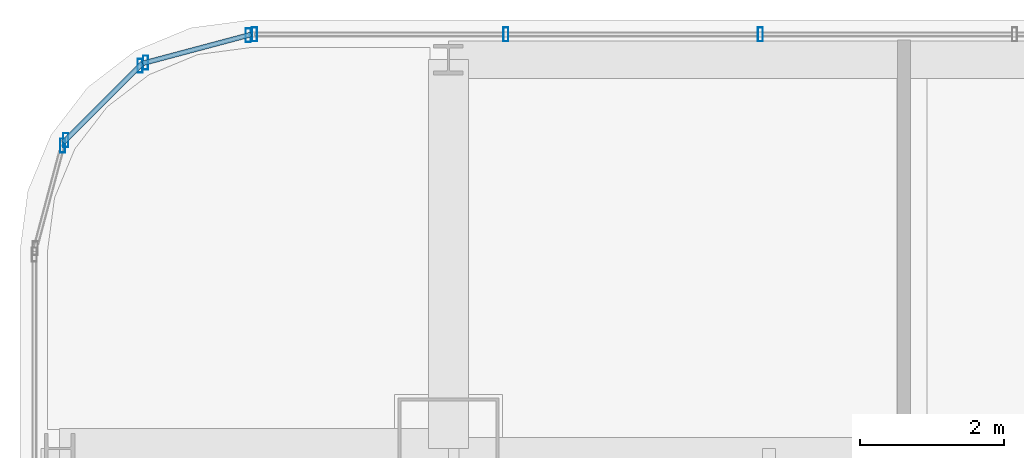
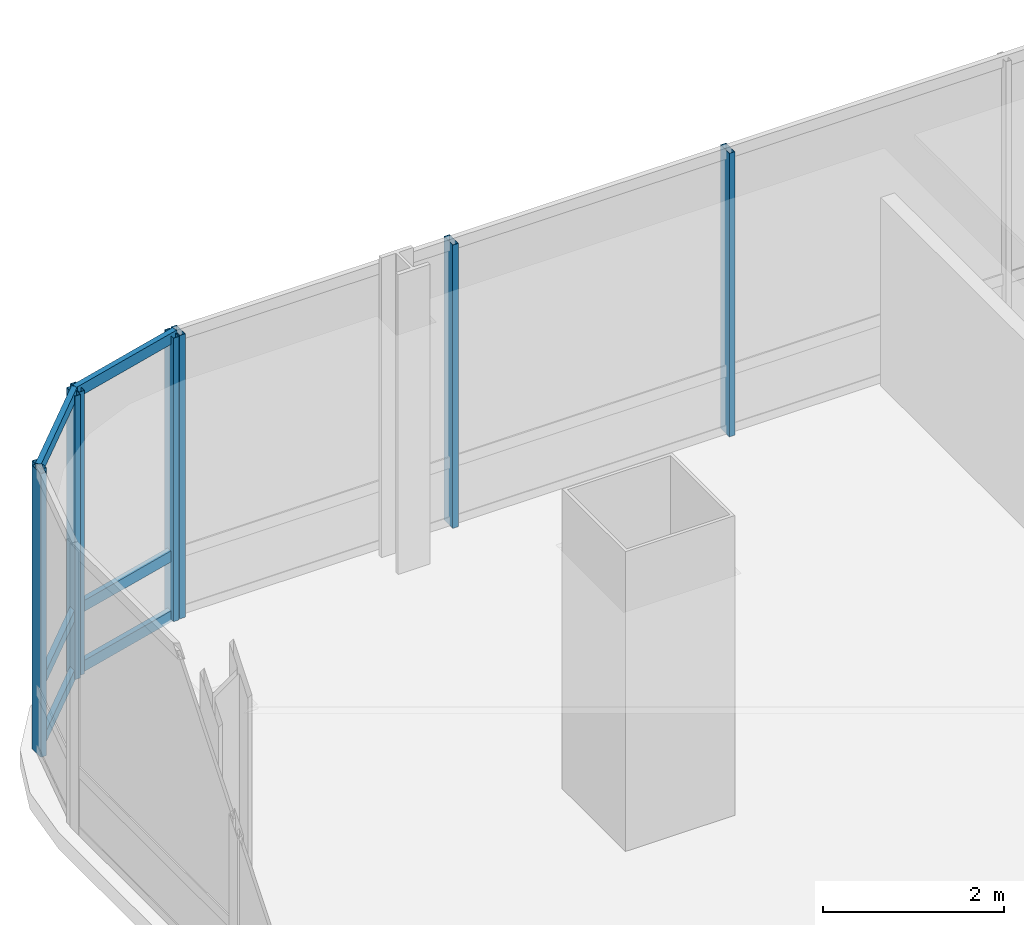
# One storey, part 21 of 38: 14 members, 4 elements without a shape of their own.
"""IFC4 building model written with IfcOpenShell, lengths in metres."""

from ifc_helpers import new_model, si_unit, direction, frame, origin, origin_2d, place, context, subcontext, project, spatial, hollow_rectangle, extrude, material, material_profile, profile_set, type_object, element, aggregate, save


model = new_model("IFC4")

# Units and contexts
model_context = context("Model", 3, precision=1e-05, world=origin(), true_north=direction((0.0, 1.0)))
body_context = subcontext(model_context, "Body", "Model", "MODEL_VIEW")
ifc_project = project(units=[si_unit("LENGTHUNIT", "METRE"), si_unit("AREAUNIT", "SQUARE_METRE"), si_unit("VOLUMEUNIT", "CUBIC_METRE"), si_unit("PLANEANGLEUNIT", "RADIAN"), si_unit("MASSUNIT", "GRAM", prefix="KILO")], contexts=[model_context])

# Site, building, storey
site_placement = place(None, origin())
site = spatial("IfcSite", under=ifc_project, at=site_placement, CompositionType="ELEMENT")
building_placement = place(site_placement, origin())
building = spatial("IfcBuilding", under=site, at=building_placement, Name="Punatoya Terracotta Tower", CompositionType="ELEMENT")
storey_placement = place(building_placement, frame((0.0, 0.0, 151.949951171875)))
storey = spatial("IfcBuildingStorey", under=building, at=storey_placement, Name="L35", CompositionType="ELEMENT", Elevation=151.949951171875)

# Curtain wall, members
ifc_material_1 = material(Name="Aluminium 6063-T6 + Double Low-E Glass", Category="aluminium")
curtain_wall_type = type_object("IfcCurtainWallType", Name="CW-M2", PredefinedType="NOTDEFINED", material=ifc_material_1)
curtain_wall_1_placement = place(storey_placement, origin())
curtain_wall_1 = element("IfcCurtainWall", 1, at=curtain_wall_1_placement, inside=storey, type_object=curtain_wall_type, Name="L35 Curtain Wall CW-L35-N09-1", PredefinedType="NOTDEFINED")
ifc_material_2 = material(Name="Aluminium 6063-T6", Category="aluminium")
ifc_material_profile_1 = material_profile(ifc_material_2, hollow_rectangle(XDim=0.072021484375, YDim=0.195068359375, WallThickness=0.00439453125, at=origin_2d()))
ifc_profile_set_1 = profile_set([ifc_material_profile_1], Name="Aluminium 6063-T6")
member_type_1 = type_object("IfcMemberType", Name="CW-MUL-M2", PredefinedType="MULLION", material=ifc_profile_set_1)
member_1_placement = place(storey_placement, frame((-14.768798828125, 23.25, 0.0), z_axis=(0.0, 0.0, 1.0), x_axis=(1.0, 0.0, 0.0)))
member_1 = element("IfcMember", 2, at=member_1_placement, type_object=member_type_1, Name="CW-L35-N09-1 Mullion 09", PredefinedType="MULLION", context=body_context, shape_type="SweptSolid", body=[
    extrude(hollow_rectangle(XDim=0.072021484375, YDim=0.195068359375, WallThickness=0.00439453125, at=origin_2d()), origin(), (0.0, 0.0, 1.0), 3.830078125),
])
member_2_placement = place(storey_placement, frame((-18.302978515625, 23.25, 0.0), z_axis=(0.0, 0.0, 1.0), x_axis=(1.0, 0.0, 0.0)))
member_2 = element("IfcMember", 3, at=member_2_placement, type_object=member_type_1, Name="CW-L35-N09-1 Mullion 10", PredefinedType="MULLION", context=body_context, shape_type="SweptSolid", body=[
    extrude(hollow_rectangle(XDim=0.072021484375, YDim=0.195068359375, WallThickness=0.00439453125, at=origin_2d()), origin(), (0.0, 0.0, 1.0), 3.830078125),
])
member_3_placement = place(storey_placement, frame((-21.7919921875, 23.25, 0.0), z_axis=(0.0, 0.0, 1.0), x_axis=(1.0, 0.0, 0.0)))
member_3 = element("IfcMember", 4, at=member_3_placement, type_object=member_type_1, Name="CW-L35-N09-1 Mullion 11", PredefinedType="MULLION", context=body_context, shape_type="SweptSolid", body=[
    extrude(hollow_rectangle(XDim=0.072021484375, YDim=0.195068359375, WallThickness=0.00439453125, at=origin_2d()), origin(), (0.0, 0.0, 1.0), 3.830078125),
])
aggregate(curtain_wall_1, [member_1, member_2, member_3])

curtain_wall_2_placement = place(storey_placement, origin())
curtain_wall_2 = element("IfcCurtainWall", 5, at=curtain_wall_2_placement, inside=storey, type_object=curtain_wall_type, Name="L35 Curtain Wall CW-L35-CRN10", PredefinedType="NOTDEFINED")
member_4_placement = place(storey_placement, frame((-21.88037109375, 23.23828125, 0.0), z_axis=(0.0, 0.0, 1.0), x_axis=(1.0, 0.0, 0.0)))
member_4 = element("IfcMember", 6, at=member_4_placement, type_object=member_type_1, Name="CW-L35-CRN10 Mullion 00", PredefinedType="MULLION", context=body_context, shape_type="SweptSolid", body=[
    extrude(hollow_rectangle(XDim=0.072021484375, YDim=0.195068359375, WallThickness=0.00439453125, at=origin_2d()), origin(), (0.0, 0.0, 1.0), 3.830078125),
])
member_5_placement = place(storey_placement, frame((-23.3056640625, 22.858154296875, 0.0), z_axis=(0.0, 0.0, 1.0), x_axis=(1.0, 0.0, 0.0)))
member_5 = element("IfcMember", 7, at=member_5_placement, type_object=member_type_1, Name="CW-L35-CRN10 Mullion 01", PredefinedType="MULLION", context=body_context, shape_type="SweptSolid", body=[
    extrude(hollow_rectangle(XDim=0.072021484375, YDim=0.195068359375, WallThickness=0.00439453125, at=origin_2d()), origin(), (0.0, 0.0, 1.0), 3.830078125),
])

curtain_wall_3_placement = place(storey_placement, origin())
curtain_wall_3 = element("IfcCurtainWall", 8, at=curtain_wall_3_placement, inside=storey, type_object=curtain_wall_type, Name="L35 Curtain Wall CW-L35-CRN11", PredefinedType="NOTDEFINED")
member_6_placement = place(storey_placement, frame((-23.380859375, 22.814697265625, 0.0), z_axis=(0.0, 0.0, 1.0), x_axis=(1.0, 0.0, 0.0)))
member_6 = element("IfcMember", 9, at=member_6_placement, type_object=member_type_1, Name="CW-L35-CRN11 Mullion 00", PredefinedType="MULLION", context=body_context, shape_type="SweptSolid", body=[
    extrude(hollow_rectangle(XDim=0.072021484375, YDim=0.195068359375, WallThickness=0.00439453125, at=origin_2d()), origin(), (0.0, 0.0, 1.0), 3.830078125),
])
member_7_placement = place(storey_placement, frame((-24.414794921875, 21.781005859375, 0.0), z_axis=(0.0, 0.0, 1.0), x_axis=(1.0, 0.0, 0.0)))
member_7 = element("IfcMember", 10, at=member_7_placement, type_object=member_type_1, Name="CW-L35-CRN11 Mullion 01", PredefinedType="MULLION", context=body_context, shape_type="SweptSolid", body=[
    extrude(hollow_rectangle(XDim=0.072021484375, YDim=0.195068359375, WallThickness=0.00439453125, at=origin_2d()), origin(), (0.0, 0.0, 1.0), 3.830078125),
])

# Curtain wall, member
curtain_wall_4_placement = place(storey_placement, origin())
curtain_wall_4 = element("IfcCurtainWall", 11, at=curtain_wall_4_placement, inside=storey, type_object=curtain_wall_type, Name="L35 Curtain Wall CW-L35-CRN12", PredefinedType="NOTDEFINED")
member_8_placement = place(storey_placement, frame((-24.458251953125, 21.70556640625, 0.0), z_axis=(0.0, 0.0, 1.0), x_axis=(1.0, 0.0, 0.0)))
member_8 = element("IfcMember", 12, at=member_8_placement, type_object=member_type_1, Name="CW-L35-CRN12 Mullion 00", PredefinedType="MULLION", context=body_context, shape_type="SweptSolid", body=[
    extrude(hollow_rectangle(XDim=0.072021484375, YDim=0.195068359375, WallThickness=0.00439453125, at=origin_2d()), origin(), (0.0, 0.0, 1.0), 3.830078125),
])
aggregate(curtain_wall_4, [member_8])

# Member
ifc_material_profile_2 = material_profile(ifc_material_2, hollow_rectangle(XDim=0.068115234375, YDim=0.14990234375, WallThickness=0.00390625, at=origin_2d()))
ifc_profile_set_2 = profile_set([ifc_material_profile_2], Name="Aluminium 6063-T6")
member_type_2 = type_object("IfcMemberType", Name="CW-TRN-TYP", PredefinedType="USERDEFINED", material=ifc_profile_set_2)
member_9_placement = place(storey_placement, frame((-21.8369140625, 23.25, 0.0400390625), z_axis=(-0.966224582397, -0.257701486942, 0.0), x_axis=(0.257701486942, -0.966224582397, 0.0)))
member_9 = element("IfcMember", 13, at=member_9_placement, type_object=member_type_2, Name="CW-L35-CRN10 Transom 1", ObjectType="TRANSOM", PredefinedType="USERDEFINED", context=body_context, shape_type="SweptSolid", body=[
    extrude(hollow_rectangle(XDim=0.068115234375, YDim=0.14990234375, WallThickness=0.00390625, at=origin_2d()), origin(), (0.0, 0.0, 1.0), 1.565185546875),
])

member_10_placement = place(storey_placement, frame((-21.8369140625, 23.25, 0.85009765625), z_axis=(-0.966224582397, -0.257701486942, 0.0), x_axis=(0.257701486942, -0.966224582397, 0.0)))
member_10 = element("IfcMember", 14, at=member_10_placement, type_object=member_type_2, Name="CW-L35-CRN10 Transom 2", ObjectType="TRANSOM", PredefinedType="USERDEFINED", context=body_context, shape_type="SweptSolid", body=[
    extrude(hollow_rectangle(XDim=0.068115234375, YDim=0.14990234375, WallThickness=0.00390625, at=origin_2d()), origin(), (0.0, 0.0, 1.0), 1.565185546875),
])

member_11_placement = place(storey_placement, frame((-21.8369140625, 23.25, 3.7900390625), z_axis=(-0.966224582397, -0.257701486942, 0.0), x_axis=(0.257701486942, -0.966224582397, 0.0)))
member_11 = element("IfcMember", 15, at=member_11_placement, type_object=member_type_2, Name="CW-L35-CRN10 Transom 3", ObjectType="TRANSOM", PredefinedType="USERDEFINED", context=body_context, shape_type="SweptSolid", body=[
    extrude(hollow_rectangle(XDim=0.068115234375, YDim=0.14990234375, WallThickness=0.00390625, at=origin_2d()), origin(), (0.0, 0.0, 1.0), 1.565185546875),
])

aggregate(curtain_wall_2, [member_4, member_5, member_9, member_10, member_11])

member_12_placement = place(storey_placement, frame((-23.34912109375, 22.8466796875, 0.0400390625), z_axis=(-0.707028130747, -0.707185422879, 0.0), x_axis=(0.707185422879, -0.707028130747, 0.0)))
member_12 = element("IfcMember", 16, at=member_12_placement, type_object=member_type_2, Name="CW-L35-CRN11 Transom 1", ObjectType="TRANSOM", PredefinedType="USERDEFINED", context=body_context, shape_type="SweptSolid", body=[
    extrude(hollow_rectangle(XDim=0.068115234375, YDim=0.14990234375, WallThickness=0.00390625, at=origin_2d()), origin(), (0.0, 0.0, 1.0), 1.55224609375),
])

member_13_placement = place(storey_placement, frame((-23.34912109375, 22.8466796875, 0.85009765625), z_axis=(-0.707028130747, -0.707185422879, 0.0), x_axis=(0.707185422879, -0.707028130747, 0.0)))
member_13 = element("IfcMember", 17, at=member_13_placement, type_object=member_type_2, Name="CW-L35-CRN11 Transom 2", ObjectType="TRANSOM", PredefinedType="USERDEFINED", context=body_context, shape_type="SweptSolid", body=[
    extrude(hollow_rectangle(XDim=0.068115234375, YDim=0.14990234375, WallThickness=0.00390625, at=origin_2d()), origin(), (0.0, 0.0, 1.0), 1.55224609375),
])

member_14_placement = place(storey_placement, frame((-23.34912109375, 22.8466796875, 3.7900390625), z_axis=(-0.707028130747, -0.707185422879, 0.0), x_axis=(0.707185422879, -0.707028130747, 0.0)))
member_14 = element("IfcMember", 18, at=member_14_placement, type_object=member_type_2, Name="CW-L35-CRN11 Transom 3", ObjectType="TRANSOM", PredefinedType="USERDEFINED", context=body_context, shape_type="SweptSolid", body=[
    extrude(hollow_rectangle(XDim=0.068115234375, YDim=0.14990234375, WallThickness=0.00390625, at=origin_2d()), origin(), (0.0, 0.0, 1.0), 1.55224609375),
])

aggregate(curtain_wall_3, [member_6, member_7, member_12, member_13, member_14])

save(model, "model.ifc")
